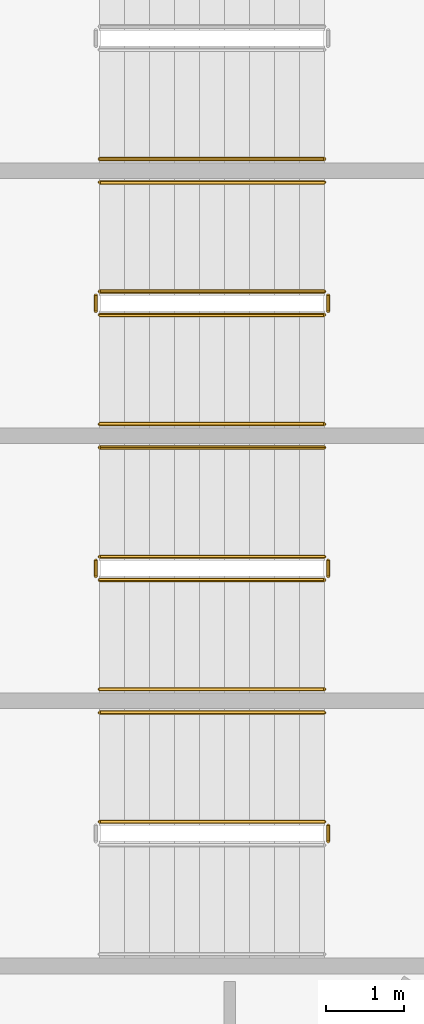
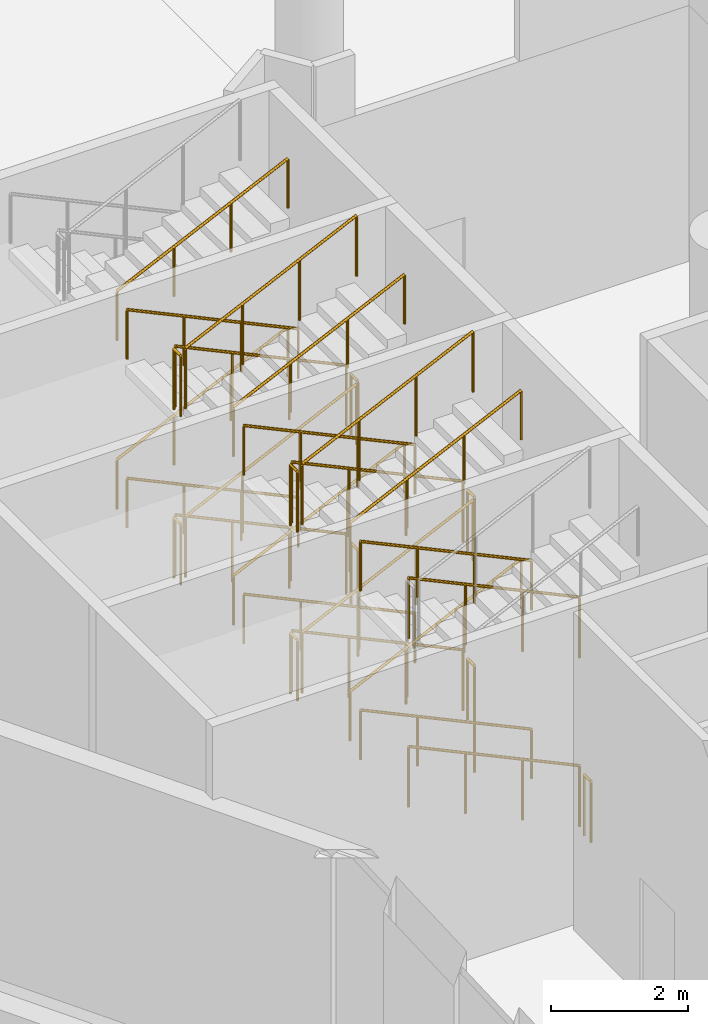
# One storey, part 213 of 249: 31 railings.
"""IFC4 building model written with IfcOpenShell, lengths in metres."""

from ifc_helpers import new_model, si_unit, direction, frame, origin, origin_2d, place, context, subcontext, project, spatial, circle, extrude, material, type_object, element, save


model = new_model("IFC4")

# Units and contexts
model_context = context("Model", 3, precision=1e-05, world=origin(), true_north=direction((0.0, 1.0)))
body_context = subcontext(model_context, "Body", "Model", "MODEL_VIEW")
ifc_project = project(units=[si_unit("LENGTHUNIT", "METRE"), si_unit("AREAUNIT", "SQUARE_METRE"), si_unit("VOLUMEUNIT", "CUBIC_METRE"), si_unit("PLANEANGLEUNIT", "RADIAN"), si_unit("MASSUNIT", "GRAM", prefix="KILO")], contexts=[model_context])

# Site, building, storey
site_placement = place(None, origin())
site = spatial("IfcSite", under=ifc_project, at=site_placement, CompositionType="ELEMENT")
building_placement = place(site_placement, origin())
building = spatial("IfcBuilding", under=site, at=building_placement, Name="Meseta Stadium", CompositionType="ELEMENT")
storey_placement = place(building_placement, frame((0.0, 0.0, 12.0)))
storey = spatial("IfcBuildingStorey", under=building, at=storey_placement, Name="L02", CompositionType="ELEMENT", Elevation=12.0)

# Railings
ifc_material_1 = material(Name="Steel S355", Category="steel")
railing_type_1 = type_object("IfcRailingType", Name="Stair guard 1100", PredefinedType="GUARDRAIL", material=ifc_material_1)
railing_1_placement = place(storey_placement, frame((-90.300048828125, 8.10009765625, 0.14990234375)))
element("IfcRailing", 1, at=railing_1_placement, inside=storey, type_object=railing_type_1, Name="ST66 L02 guard 1", PredefinedType="GUARDRAIL", context=body_context, shape_type="SweptSolid", body=[
    extrude(circle(Radius=0.02392578125, at=origin_2d()), frame((0.0, 0.0, 1.076171875), z_axis=(-0.905440498372, 0.0, 0.424473207528), x_axis=(0.0, -1.0, 0.0)), (0.0, 0.0, 1.0), 3.1806640625),
    extrude(circle(Radius=0.02099609375, at=origin_2d()), origin(), (0.0, 0.0, 1.0), 1.052001953125),
    extrude(circle(Radius=0.02099609375, at=origin_2d()), frame((-0.9599609375, 0.0, 0.449951171875)), (0.0, 0.0, 1.0), 1.052001953125),
    extrude(circle(Radius=0.02099609375, at=origin_2d()), frame((-1.919921875, 0.0, 0.900146484375)), (0.0, 0.0, 1.0), 1.052001953125),
    extrude(circle(Radius=0.02099609375, at=origin_2d()), frame((-2.8798828125, 0.0, 1.35009765625)), (0.0, 0.0, 1.0), 1.052001953125),
])
railing_2_placement = place(storey_placement, frame((-93.22998046875, 8.050048828125, 1.5)))
element("IfcRailing", 2, at=railing_2_placement, inside=storey, type_object=railing_type_1, Name="ST66 L02 guard 2", PredefinedType="GUARDRAIL", context=body_context, shape_type="SweptSolid", body=[
    extrude(circle(Radius=0.02392578125, at=origin_2d()), frame((0.0, 0.0, 1.076171875), z_axis=(0.0, -1.0, 0.0), x_axis=(1.0, 0.0, 0.0)), (0.0, 0.0, 1.0), 0.199951171875),
    extrude(circle(Radius=0.02099609375, at=origin_2d()), origin(), (0.0, 0.0, 1.0), 1.052001953125),
    extrude(circle(Radius=0.02099609375, at=origin_2d()), frame((0.0, -0.199951171875, 0.0)), (0.0, 0.0, 1.0), 1.052001953125),
])
railing_3_placement = place(storey_placement, frame((-93.179931640625, 7.800048828125, 1.64990234375)))
element("IfcRailing", 3, at=railing_3_placement, inside=storey, type_object=railing_type_1, Name="ST66 L02 guard 3", PredefinedType="GUARDRAIL", context=body_context, shape_type="SweptSolid", body=[
    extrude(circle(Radius=0.02392578125, at=origin_2d()), frame((0.0, 0.0, 1.076171875), z_axis=(0.905440498372, 0.0, 0.424473207528), x_axis=(0.0, 1.0, 0.0)), (0.0, 0.0, 1.0), 3.1806640625),
    extrude(circle(Radius=0.02099609375, at=origin_2d()), origin(), (0.0, 0.0, 1.0), 1.052001953125),
    extrude(circle(Radius=0.02099609375, at=origin_2d()), frame((0.9599609375, 0.0, 0.449951171875)), (0.0, 0.0, 1.0), 1.052001953125),
    extrude(circle(Radius=0.02099609375, at=origin_2d()), frame((1.919921875, 0.0, 0.900146484375)), (0.0, 0.0, 1.0), 1.052001953125),
    extrude(circle(Radius=0.02099609375, at=origin_2d()), frame((2.8798828125, 0.0, 1.35009765625)), (0.0, 0.0, 1.0), 1.052001953125),
])
railing_4_placement = place(storey_placement, frame((-90.25, 8.050048828125, 3.0)))
element("IfcRailing", 4, at=railing_4_placement, inside=storey, type_object=railing_type_1, Name="ST66 L02 guard 4", PredefinedType="GUARDRAIL", context=body_context, shape_type="SweptSolid", body=[
    extrude(circle(Radius=0.02392578125, at=origin_2d()), frame((0.0, 0.0, 1.076171875), z_axis=(0.0, -1.0, 0.0), x_axis=(1.0, 0.0, 0.0)), (0.0, 0.0, 1.0), 0.199951171875),
    extrude(circle(Radius=0.02099609375, at=origin_2d()), origin(), (0.0, 0.0, 1.0), 1.052001953125),
    extrude(circle(Radius=0.02099609375, at=origin_2d()), frame((0.0, -0.199951171875, 0.0)), (0.0, 0.0, 1.0), 1.052001953125),
])
railing_5_placement = place(storey_placement, frame((-90.300048828125, 8.10009765625, 3.14990234375)))
element("IfcRailing", 5, at=railing_5_placement, inside=storey, type_object=railing_type_1, Name="ST66 L02 guard 5", PredefinedType="GUARDRAIL", context=body_context, shape_type="SweptSolid", body=[
    extrude(circle(Radius=0.02392578125, at=origin_2d()), frame((0.0, 0.0, 1.076171875), z_axis=(-0.905440498372, 0.0, 0.424473207528), x_axis=(0.0, -1.0, 0.0)), (0.0, 0.0, 1.0), 3.1806640625),
    extrude(circle(Radius=0.02099609375, at=origin_2d()), origin(), (0.0, 0.0, 1.0), 1.052001953125),
    extrude(circle(Radius=0.02099609375, at=origin_2d()), frame((-0.9599609375, 0.0, 0.449951171875)), (0.0, 0.0, 1.0), 1.052001953125),
    extrude(circle(Radius=0.02099609375, at=origin_2d()), frame((-1.919921875, 0.0, 0.900146484375)), (0.0, 0.0, 1.0), 1.052001953125),
    extrude(circle(Radius=0.02099609375, at=origin_2d()), frame((-2.8798828125, 0.0, 1.35009765625)), (0.0, 0.0, 1.0), 1.052001953125),
])
railing_6_placement = place(storey_placement, frame((-93.22998046875, 8.050048828125, 4.5)))
element("IfcRailing", 6, at=railing_6_placement, inside=storey, type_object=railing_type_1, Name="ST66 L02 guard 6", PredefinedType="GUARDRAIL", context=body_context, shape_type="SweptSolid", body=[
    extrude(circle(Radius=0.02392578125, at=origin_2d()), frame((0.0, 0.0, 1.076171875), z_axis=(0.0, -1.0, 0.0), x_axis=(1.0, 0.0, 0.0)), (0.0, 0.0, 1.0), 0.199951171875),
    extrude(circle(Radius=0.02099609375, at=origin_2d()), origin(), (0.0, 0.0, 1.0), 1.052001953125),
    extrude(circle(Radius=0.02099609375, at=origin_2d()), frame((0.0, -0.199951171875, 0.0)), (0.0, 0.0, 1.0), 1.052001953125),
])
railing_7_placement = place(storey_placement, frame((-93.179931640625, 7.800048828125, 4.64990234375)))
element("IfcRailing", 7, at=railing_7_placement, inside=storey, type_object=railing_type_1, Name="ST66 L02 guard 7", PredefinedType="GUARDRAIL", context=body_context, shape_type="SweptSolid", body=[
    extrude(circle(Radius=0.02392578125, at=origin_2d()), frame((0.0, 0.0, 1.076171875), z_axis=(0.905440498372, 0.0, 0.424473207528), x_axis=(0.0, 1.0, 0.0)), (0.0, 0.0, 1.0), 3.1806640625),
    extrude(circle(Radius=0.02099609375, at=origin_2d()), origin(), (0.0, 0.0, 1.0), 1.052001953125),
    extrude(circle(Radius=0.02099609375, at=origin_2d()), frame((0.9599609375, 0.0, 0.449951171875)), (0.0, 0.0, 1.0), 1.052001953125),
    extrude(circle(Radius=0.02099609375, at=origin_2d()), frame((1.919921875, 0.0, 0.900146484375)), (0.0, 0.0, 1.0), 1.052001953125),
    extrude(circle(Radius=0.02099609375, at=origin_2d()), frame((2.8798828125, 0.0, 1.35009765625)), (0.0, 0.0, 1.0), 1.052001953125),
])
railing_8_placement = place(storey_placement, frame((-90.25, 8.050048828125, 0.0)))
element("IfcRailing", 8, at=railing_8_placement, inside=storey, type_object=railing_type_1, Name="ST66 L02 guard 8", PredefinedType="GUARDRAIL", context=body_context, shape_type="SweptSolid", body=[
    extrude(circle(Radius=0.02392578125, at=origin_2d()), frame((0.0, 0.0, 1.076171875), z_axis=(0.0, -1.0, 0.0), x_axis=(1.0, 0.0, 0.0)), (0.0, 0.0, 1.0), 0.199951171875),
    extrude(circle(Radius=0.02099609375, at=origin_2d()), origin(), (0.0, 0.0, 1.0), 1.052001953125),
    extrude(circle(Radius=0.02099609375, at=origin_2d()), frame((0.0, -0.199951171875, 0.0)), (0.0, 0.0, 1.0), 1.052001953125),
])
railing_9_placement = place(storey_placement, frame((-90.300048828125, 4.699951171875, 0.14990234375)))
element("IfcRailing", 9, at=railing_9_placement, inside=storey, type_object=railing_type_1, Name="ST67 L02 guard 1", PredefinedType="GUARDRAIL", context=body_context, shape_type="SweptSolid", body=[
    extrude(circle(Radius=0.02392578125, at=origin_2d()), frame((0.0, 0.0, 1.076171875), z_axis=(-0.905440498372, 0.0, 0.424473207528), x_axis=(0.0, -1.0, 0.0)), (0.0, 0.0, 1.0), 3.1806640625),
    extrude(circle(Radius=0.02099609375, at=origin_2d()), origin(), (0.0, 0.0, 1.0), 1.052001953125),
    extrude(circle(Radius=0.02099609375, at=origin_2d()), frame((-0.9599609375, 0.0, 0.449951171875)), (0.0, 0.0, 1.0), 1.052001953125),
    extrude(circle(Radius=0.02099609375, at=origin_2d()), frame((-1.919921875, 0.0, 0.900146484375)), (0.0, 0.0, 1.0), 1.052001953125),
    extrude(circle(Radius=0.02099609375, at=origin_2d()), frame((-2.8798828125, 0.0, 1.35009765625)), (0.0, 0.0, 1.0), 1.052001953125),
])
railing_10_placement = place(storey_placement, frame((-93.22998046875, 4.64990234375, 1.5)))
element("IfcRailing", 10, at=railing_10_placement, inside=storey, type_object=railing_type_1, Name="ST67 L02 guard 2", PredefinedType="GUARDRAIL", context=body_context, shape_type="SweptSolid", body=[
    extrude(circle(Radius=0.02392578125, at=origin_2d()), frame((0.0, 0.0, 1.076171875), z_axis=(0.0, -1.0, 0.0), x_axis=(1.0, 0.0, 0.0)), (0.0, 0.0, 1.0), 0.199951171875),
    extrude(circle(Radius=0.02099609375, at=origin_2d()), origin(), (0.0, 0.0, 1.0), 1.052001953125),
    extrude(circle(Radius=0.02099609375, at=origin_2d()), frame((0.0, -0.199951171875, 0.0)), (0.0, 0.0, 1.0), 1.052001953125),
])
railing_11_placement = place(storey_placement, frame((-93.179931640625, 4.39990234375, 1.64990234375)))
element("IfcRailing", 11, at=railing_11_placement, inside=storey, type_object=railing_type_1, Name="ST67 L02 guard 3", PredefinedType="GUARDRAIL", context=body_context, shape_type="SweptSolid", body=[
    extrude(circle(Radius=0.02392578125, at=origin_2d()), frame((0.0, 0.0, 1.076171875), z_axis=(0.905440498372, 0.0, 0.424473207528), x_axis=(0.0, 1.0, 0.0)), (0.0, 0.0, 1.0), 3.1806640625),
    extrude(circle(Radius=0.02099609375, at=origin_2d()), origin(), (0.0, 0.0, 1.0), 1.052001953125),
    extrude(circle(Radius=0.02099609375, at=origin_2d()), frame((0.9599609375, 0.0, 0.449951171875)), (0.0, 0.0, 1.0), 1.052001953125),
    extrude(circle(Radius=0.02099609375, at=origin_2d()), frame((1.919921875, 0.0, 0.900146484375)), (0.0, 0.0, 1.0), 1.052001953125),
    extrude(circle(Radius=0.02099609375, at=origin_2d()), frame((2.8798828125, 0.0, 1.35009765625)), (0.0, 0.0, 1.0), 1.052001953125),
])
railing_12_placement = place(storey_placement, frame((-90.25, 4.64990234375, 3.0)))
element("IfcRailing", 12, at=railing_12_placement, inside=storey, type_object=railing_type_1, Name="ST67 L02 guard 4", PredefinedType="GUARDRAIL", context=body_context, shape_type="SweptSolid", body=[
    extrude(circle(Radius=0.02392578125, at=origin_2d()), frame((0.0, 0.0, 1.076171875), z_axis=(0.0, -1.0, 0.0), x_axis=(1.0, 0.0, 0.0)), (0.0, 0.0, 1.0), 0.199951171875),
    extrude(circle(Radius=0.02099609375, at=origin_2d()), origin(), (0.0, 0.0, 1.0), 1.052001953125),
    extrude(circle(Radius=0.02099609375, at=origin_2d()), frame((0.0, -0.199951171875, 0.0)), (0.0, 0.0, 1.0), 1.052001953125),
])
railing_13_placement = place(storey_placement, frame((-90.300048828125, 4.699951171875, 3.14990234375)))
element("IfcRailing", 13, at=railing_13_placement, inside=storey, type_object=railing_type_1, Name="ST67 L02 guard 5", PredefinedType="GUARDRAIL", context=body_context, shape_type="SweptSolid", body=[
    extrude(circle(Radius=0.02392578125, at=origin_2d()), frame((0.0, 0.0, 1.076171875), z_axis=(-0.905440498372, 0.0, 0.424473207528), x_axis=(0.0, -1.0, 0.0)), (0.0, 0.0, 1.0), 3.1806640625),
    extrude(circle(Radius=0.02099609375, at=origin_2d()), origin(), (0.0, 0.0, 1.0), 1.052001953125),
    extrude(circle(Radius=0.02099609375, at=origin_2d()), frame((-0.9599609375, 0.0, 0.449951171875)), (0.0, 0.0, 1.0), 1.052001953125),
    extrude(circle(Radius=0.02099609375, at=origin_2d()), frame((-1.919921875, 0.0, 0.900146484375)), (0.0, 0.0, 1.0), 1.052001953125),
    extrude(circle(Radius=0.02099609375, at=origin_2d()), frame((-2.8798828125, 0.0, 1.35009765625)), (0.0, 0.0, 1.0), 1.052001953125),
])
railing_14_placement = place(storey_placement, frame((-93.22998046875, 4.64990234375, 4.5)))
element("IfcRailing", 14, at=railing_14_placement, inside=storey, type_object=railing_type_1, Name="ST67 L02 guard 6", PredefinedType="GUARDRAIL", context=body_context, shape_type="SweptSolid", body=[
    extrude(circle(Radius=0.02392578125, at=origin_2d()), frame((0.0, 0.0, 1.076171875), z_axis=(0.0, -1.0, 0.0), x_axis=(1.0, 0.0, 0.0)), (0.0, 0.0, 1.0), 0.199951171875),
    extrude(circle(Radius=0.02099609375, at=origin_2d()), origin(), (0.0, 0.0, 1.0), 1.052001953125),
    extrude(circle(Radius=0.02099609375, at=origin_2d()), frame((0.0, -0.199951171875, 0.0)), (0.0, 0.0, 1.0), 1.052001953125),
])
railing_15_placement = place(storey_placement, frame((-93.179931640625, 4.39990234375, 4.64990234375)))
element("IfcRailing", 15, at=railing_15_placement, inside=storey, type_object=railing_type_1, Name="ST67 L02 guard 7", PredefinedType="GUARDRAIL", context=body_context, shape_type="SweptSolid", body=[
    extrude(circle(Radius=0.02392578125, at=origin_2d()), frame((0.0, 0.0, 1.076171875), z_axis=(0.905440498372, 0.0, 0.424473207528), x_axis=(0.0, 1.0, 0.0)), (0.0, 0.0, 1.0), 3.1806640625),
    extrude(circle(Radius=0.02099609375, at=origin_2d()), origin(), (0.0, 0.0, 1.0), 1.052001953125),
    extrude(circle(Radius=0.02099609375, at=origin_2d()), frame((0.9599609375, 0.0, 0.449951171875)), (0.0, 0.0, 1.0), 1.052001953125),
    extrude(circle(Radius=0.02099609375, at=origin_2d()), frame((1.919921875, 0.0, 0.900146484375)), (0.0, 0.0, 1.0), 1.052001953125),
    extrude(circle(Radius=0.02099609375, at=origin_2d()), frame((2.8798828125, 0.0, 1.35009765625)), (0.0, 0.0, 1.0), 1.052001953125),
])
railing_16_placement = place(storey_placement, frame((-90.25, 4.64990234375, 0.0)))
element("IfcRailing", 16, at=railing_16_placement, inside=storey, type_object=railing_type_1, Name="ST67 L02 guard 8", PredefinedType="GUARDRAIL", context=body_context, shape_type="SweptSolid", body=[
    extrude(circle(Radius=0.02392578125, at=origin_2d()), frame((0.0, 0.0, 1.076171875), z_axis=(0.0, -1.0, 0.0), x_axis=(1.0, 0.0, 0.0)), (0.0, 0.0, 1.0), 0.199951171875),
    extrude(circle(Radius=0.02099609375, at=origin_2d()), origin(), (0.0, 0.0, 1.0), 1.052001953125),
    extrude(circle(Radius=0.02099609375, at=origin_2d()), frame((0.0, -0.199951171875, 0.0)), (0.0, 0.0, 1.0), 1.052001953125),
])
for number, where, name in (
    (17, (-90.300048828125, 1.300048828125, 0.14990234375), "ST68 L02 guard 1"),
    (18, (-90.300048828125, 1.300048828125, 3.14990234375), "ST68 L02 guard 5"),
):
    element("IfcRailing", number, at=place(storey_placement, frame(where)), inside=storey, type_object=railing_type_1, Name=name, PredefinedType="GUARDRAIL", context=body_context, shape_type="SweptSolid", body=[
        extrude(circle(Radius=0.02392578125, at=origin_2d()), frame((0.0, 0.0, 1.076171875), z_axis=(-0.905440498372, 0.0, 0.424473207528), x_axis=(0.0, -1.0, 0.0)), (0.0, 0.0, 1.0), 3.1806640625),
        extrude(circle(Radius=0.02099609375, at=origin_2d()), origin(), (0.0, 0.0, 1.0), 1.052001953125),
        extrude(circle(Radius=0.02099609375, at=origin_2d()), frame((-0.9599609375, 0.0, 0.449951171875)), (0.0, 0.0, 1.0), 1.052001953125),
        extrude(circle(Radius=0.02099609375, at=origin_2d()), frame((-1.919921875, 0.0, 0.900146484375)), (0.0, 0.0, 1.0), 1.052001953125),
        extrude(circle(Radius=0.02099609375, at=origin_2d()), frame((-2.8798828125, 0.0, 1.35009765625)), (0.0, 0.0, 1.0), 1.052001953125),
    ])
railing_17_placement = place(storey_placement, frame((-90.25, 1.25, 0.0)))
element("IfcRailing", 19, at=railing_17_placement, inside=storey, type_object=railing_type_1, Name="ST68 L02 guard 8", PredefinedType="GUARDRAIL", context=body_context, shape_type="SweptSolid", body=[
    extrude(circle(Radius=0.02392578125, at=origin_2d()), frame((0.0, 0.0, 1.076171875), z_axis=(0.0, -1.0, 0.0), x_axis=(1.0, 0.0, 0.0)), (0.0, 0.0, 1.0), 0.199951171875),
    extrude(circle(Radius=0.02099609375, at=origin_2d()), origin(), (0.0, 0.0, 1.0), 1.052001953125),
    extrude(circle(Radius=0.02099609375, at=origin_2d()), frame((0.0, -0.199951171875, 0.0)), (0.0, 0.0, 1.0), 1.052001953125),
])
ifc_material_2 = material(Name="Steel S355", Category="steel")
railing_type_2 = type_object("IfcRailingType", Name="Stair handrail 900", PredefinedType="HANDRAIL", material=ifc_material_2)
for number, where, name in (
    (20, (-93.179931640625, 9.800048828125, 1.64990234375), "ST65 L02 handrail 2"),
    (21, (-93.179931640625, 9.800048828125, 4.64990234375), "ST65 L02 handrail 4"),
):
    element("IfcRailing", number, at=place(storey_placement, frame(where)), inside=storey, type_object=railing_type_2, Name=name, PredefinedType="HANDRAIL", context=body_context, shape_type="SweptSolid", body=[
        extrude(circle(Radius=0.02392578125, at=origin_2d()), frame((0.0, 0.0, 0.8759765625), z_axis=(0.905440498372, 0.0, 0.424473207528), x_axis=(0.0, 1.0, 0.0)), (0.0, 0.0, 1.0), 3.1806640625),
        extrude(circle(Radius=0.02099609375, at=origin_2d()), origin(), (0.0, 0.0, 1.0), 0.851806640625),
        extrude(circle(Radius=0.02099609375, at=origin_2d()), frame((0.9599609375, 0.0, 0.449951171875)), (0.0, 0.0, 1.0), 0.851806640625),
        extrude(circle(Radius=0.02099609375, at=origin_2d()), frame((1.919921875, 0.0, 0.900146484375)), (0.0, 0.0, 1.0), 0.851806640625),
        extrude(circle(Radius=0.02099609375, at=origin_2d()), frame((2.8798828125, 0.0, 1.35009765625)), (0.0, 0.0, 1.0), 0.851806640625),
    ])
railing_18_placement = place(storey_placement, frame((-90.300048828125, 9.5, 0.14990234375)))
element("IfcRailing", 22, at=railing_18_placement, inside=storey, type_object=railing_type_2, Name="ST66 L02 handrail 1", PredefinedType="HANDRAIL", context=body_context, shape_type="SweptSolid", body=[
    extrude(circle(Radius=0.02392578125, at=origin_2d()), frame((0.0, 0.0, 0.8759765625), z_axis=(-0.905440498372, 0.0, 0.424473207528), x_axis=(0.0, -1.0, 0.0)), (0.0, 0.0, 1.0), 3.1806640625),
    extrude(circle(Radius=0.02099609375, at=origin_2d()), origin(), (0.0, 0.0, 1.0), 0.851806640625),
    extrude(circle(Radius=0.02099609375, at=origin_2d()), frame((-0.9599609375, 0.0, 0.449951171875)), (0.0, 0.0, 1.0), 0.851806640625),
    extrude(circle(Radius=0.02099609375, at=origin_2d()), frame((-1.919921875, 0.0, 0.900146484375)), (0.0, 0.0, 1.0), 0.851806640625),
    extrude(circle(Radius=0.02099609375, at=origin_2d()), frame((-2.8798828125, 0.0, 1.35009765625)), (0.0, 0.0, 1.0), 0.851806640625),
])
railing_19_placement = place(storey_placement, frame((-93.179931640625, 6.39990234375, 1.64990234375)))
element("IfcRailing", 23, at=railing_19_placement, inside=storey, type_object=railing_type_2, Name="ST66 L02 handrail 2", PredefinedType="HANDRAIL", context=body_context, shape_type="SweptSolid", body=[
    extrude(circle(Radius=0.02392578125, at=origin_2d()), frame((0.0, 0.0, 0.8759765625), z_axis=(0.905440498372, 0.0, 0.424473207528), x_axis=(0.0, 1.0, 0.0)), (0.0, 0.0, 1.0), 3.1806640625),
    extrude(circle(Radius=0.02099609375, at=origin_2d()), origin(), (0.0, 0.0, 1.0), 0.851806640625),
    extrude(circle(Radius=0.02099609375, at=origin_2d()), frame((0.9599609375, 0.0, 0.449951171875)), (0.0, 0.0, 1.0), 0.851806640625),
    extrude(circle(Radius=0.02099609375, at=origin_2d()), frame((1.919921875, 0.0, 0.900146484375)), (0.0, 0.0, 1.0), 0.851806640625),
    extrude(circle(Radius=0.02099609375, at=origin_2d()), frame((2.8798828125, 0.0, 1.35009765625)), (0.0, 0.0, 1.0), 0.851806640625),
])
railing_20_placement = place(storey_placement, frame((-90.300048828125, 9.5, 3.14990234375)))
element("IfcRailing", 24, at=railing_20_placement, inside=storey, type_object=railing_type_2, Name="ST66 L02 handrail 3", PredefinedType="HANDRAIL", context=body_context, shape_type="SweptSolid", body=[
    extrude(circle(Radius=0.02392578125, at=origin_2d()), frame((0.0, 0.0, 0.8759765625), z_axis=(-0.905440498372, 0.0, 0.424473207528), x_axis=(0.0, -1.0, 0.0)), (0.0, 0.0, 1.0), 3.1806640625),
    extrude(circle(Radius=0.02099609375, at=origin_2d()), origin(), (0.0, 0.0, 1.0), 0.851806640625),
    extrude(circle(Radius=0.02099609375, at=origin_2d()), frame((-0.9599609375, 0.0, 0.449951171875)), (0.0, 0.0, 1.0), 0.851806640625),
    extrude(circle(Radius=0.02099609375, at=origin_2d()), frame((-1.919921875, 0.0, 0.900146484375)), (0.0, 0.0, 1.0), 0.851806640625),
    extrude(circle(Radius=0.02099609375, at=origin_2d()), frame((-2.8798828125, 0.0, 1.35009765625)), (0.0, 0.0, 1.0), 0.851806640625),
])
railing_21_placement = place(storey_placement, frame((-93.179931640625, 6.39990234375, 4.64990234375)))
element("IfcRailing", 25, at=railing_21_placement, inside=storey, type_object=railing_type_2, Name="ST66 L02 handrail 4", PredefinedType="HANDRAIL", context=body_context, shape_type="SweptSolid", body=[
    extrude(circle(Radius=0.02392578125, at=origin_2d()), frame((0.0, 0.0, 0.8759765625), z_axis=(0.905440498372, 0.0, 0.424473207528), x_axis=(0.0, 1.0, 0.0)), (0.0, 0.0, 1.0), 3.1806640625),
    extrude(circle(Radius=0.02099609375, at=origin_2d()), origin(), (0.0, 0.0, 1.0), 0.851806640625),
    extrude(circle(Radius=0.02099609375, at=origin_2d()), frame((0.9599609375, 0.0, 0.449951171875)), (0.0, 0.0, 1.0), 0.851806640625),
    extrude(circle(Radius=0.02099609375, at=origin_2d()), frame((1.919921875, 0.0, 0.900146484375)), (0.0, 0.0, 1.0), 0.851806640625),
    extrude(circle(Radius=0.02099609375, at=origin_2d()), frame((2.8798828125, 0.0, 1.35009765625)), (0.0, 0.0, 1.0), 0.851806640625),
])
railing_22_placement = place(storey_placement, frame((-90.300048828125, 6.10009765625, 0.14990234375)))
element("IfcRailing", 26, at=railing_22_placement, inside=storey, type_object=railing_type_2, Name="ST67 L02 handrail 1", PredefinedType="HANDRAIL", context=body_context, shape_type="SweptSolid", body=[
    extrude(circle(Radius=0.02392578125, at=origin_2d()), frame((0.0, 0.0, 0.8759765625), z_axis=(-0.905440498372, 0.0, 0.424473207528), x_axis=(0.0, -1.0, 0.0)), (0.0, 0.0, 1.0), 3.1806640625),
    extrude(circle(Radius=0.02099609375, at=origin_2d()), origin(), (0.0, 0.0, 1.0), 0.851806640625),
    extrude(circle(Radius=0.02099609375, at=origin_2d()), frame((-0.9599609375, 0.0, 0.449951171875)), (0.0, 0.0, 1.0), 0.851806640625),
    extrude(circle(Radius=0.02099609375, at=origin_2d()), frame((-1.919921875, 0.0, 0.900146484375)), (0.0, 0.0, 1.0), 0.851806640625),
    extrude(circle(Radius=0.02099609375, at=origin_2d()), frame((-2.8798828125, 0.0, 1.35009765625)), (0.0, 0.0, 1.0), 0.851806640625),
])
railing_23_placement = place(storey_placement, frame((-93.179931640625, 3.0, 1.64990234375)))
element("IfcRailing", 27, at=railing_23_placement, inside=storey, type_object=railing_type_2, Name="ST67 L02 handrail 2", PredefinedType="HANDRAIL", context=body_context, shape_type="SweptSolid", body=[
    extrude(circle(Radius=0.02392578125, at=origin_2d()), frame((0.0, 0.0, 0.8759765625), z_axis=(0.905440498372, 0.0, 0.424473207528), x_axis=(0.0, 1.0, 0.0)), (0.0, 0.0, 1.0), 3.1806640625),
    extrude(circle(Radius=0.02099609375, at=origin_2d()), origin(), (0.0, 0.0, 1.0), 0.851806640625),
    extrude(circle(Radius=0.02099609375, at=origin_2d()), frame((0.9599609375, 0.0, 0.449951171875)), (0.0, 0.0, 1.0), 0.851806640625),
    extrude(circle(Radius=0.02099609375, at=origin_2d()), frame((1.919921875, 0.0, 0.900146484375)), (0.0, 0.0, 1.0), 0.851806640625),
    extrude(circle(Radius=0.02099609375, at=origin_2d()), frame((2.8798828125, 0.0, 1.35009765625)), (0.0, 0.0, 1.0), 0.851806640625),
])
railing_24_placement = place(storey_placement, frame((-90.300048828125, 6.10009765625, 3.14990234375)))
element("IfcRailing", 28, at=railing_24_placement, inside=storey, type_object=railing_type_2, Name="ST67 L02 handrail 3", PredefinedType="HANDRAIL", context=body_context, shape_type="SweptSolid", body=[
    extrude(circle(Radius=0.02392578125, at=origin_2d()), frame((0.0, 0.0, 0.8759765625), z_axis=(-0.905440498372, 0.0, 0.424473207528), x_axis=(0.0, -1.0, 0.0)), (0.0, 0.0, 1.0), 3.1806640625),
    extrude(circle(Radius=0.02099609375, at=origin_2d()), origin(), (0.0, 0.0, 1.0), 0.851806640625),
    extrude(circle(Radius=0.02099609375, at=origin_2d()), frame((-0.9599609375, 0.0, 0.449951171875)), (0.0, 0.0, 1.0), 0.851806640625),
    extrude(circle(Radius=0.02099609375, at=origin_2d()), frame((-1.919921875, 0.0, 0.900146484375)), (0.0, 0.0, 1.0), 0.851806640625),
    extrude(circle(Radius=0.02099609375, at=origin_2d()), frame((-2.8798828125, 0.0, 1.35009765625)), (0.0, 0.0, 1.0), 0.851806640625),
])
railing_25_placement = place(storey_placement, frame((-93.179931640625, 3.0, 4.64990234375)))
element("IfcRailing", 29, at=railing_25_placement, inside=storey, type_object=railing_type_2, Name="ST67 L02 handrail 4", PredefinedType="HANDRAIL", context=body_context, shape_type="SweptSolid", body=[
    extrude(circle(Radius=0.02392578125, at=origin_2d()), frame((0.0, 0.0, 0.8759765625), z_axis=(0.905440498372, 0.0, 0.424473207528), x_axis=(0.0, 1.0, 0.0)), (0.0, 0.0, 1.0), 3.1806640625),
    extrude(circle(Radius=0.02099609375, at=origin_2d()), origin(), (0.0, 0.0, 1.0), 0.851806640625),
    extrude(circle(Radius=0.02099609375, at=origin_2d()), frame((0.9599609375, 0.0, 0.449951171875)), (0.0, 0.0, 1.0), 0.851806640625),
    extrude(circle(Radius=0.02099609375, at=origin_2d()), frame((1.919921875, 0.0, 0.900146484375)), (0.0, 0.0, 1.0), 0.851806640625),
    extrude(circle(Radius=0.02099609375, at=origin_2d()), frame((2.8798828125, 0.0, 1.35009765625)), (0.0, 0.0, 1.0), 0.851806640625),
])
for number, where, name in (
    (30, (-90.300048828125, 2.699951171875, 0.14990234375), "ST68 L02 handrail 1"),
    (31, (-90.300048828125, 2.699951171875, 3.14990234375), "ST68 L02 handrail 3"),
):
    element("IfcRailing", number, at=place(storey_placement, frame(where)), inside=storey, type_object=railing_type_2, Name=name, PredefinedType="HANDRAIL", context=body_context, shape_type="SweptSolid", body=[
        extrude(circle(Radius=0.02392578125, at=origin_2d()), frame((0.0, 0.0, 0.8759765625), z_axis=(-0.905440498372, 0.0, 0.424473207528), x_axis=(0.0, -1.0, 0.0)), (0.0, 0.0, 1.0), 3.1806640625),
        extrude(circle(Radius=0.02099609375, at=origin_2d()), origin(), (0.0, 0.0, 1.0), 0.851806640625),
        extrude(circle(Radius=0.02099609375, at=origin_2d()), frame((-0.9599609375, 0.0, 0.449951171875)), (0.0, 0.0, 1.0), 0.851806640625),
        extrude(circle(Radius=0.02099609375, at=origin_2d()), frame((-1.919921875, 0.0, 0.900146484375)), (0.0, 0.0, 1.0), 0.851806640625),
        extrude(circle(Radius=0.02099609375, at=origin_2d()), frame((-2.8798828125, 0.0, 1.35009765625)), (0.0, 0.0, 1.0), 0.851806640625),
    ])

save(model, "model.ifc")
